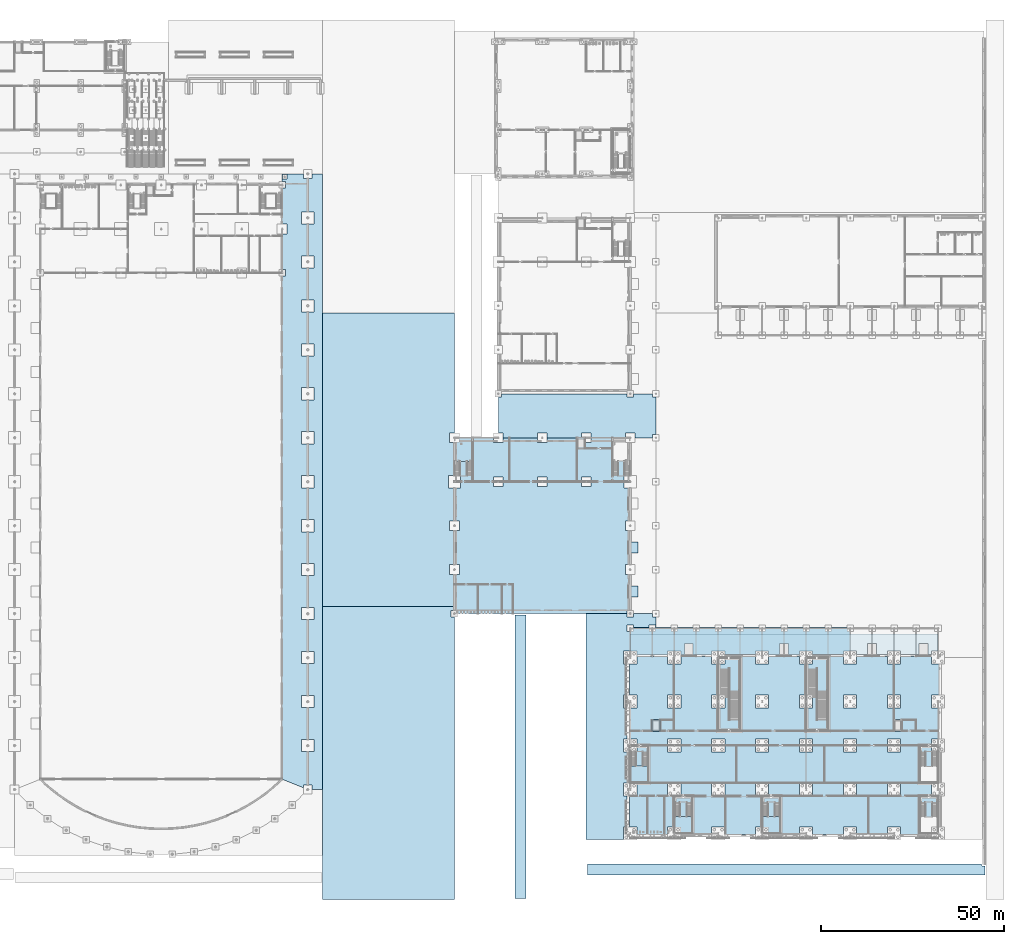
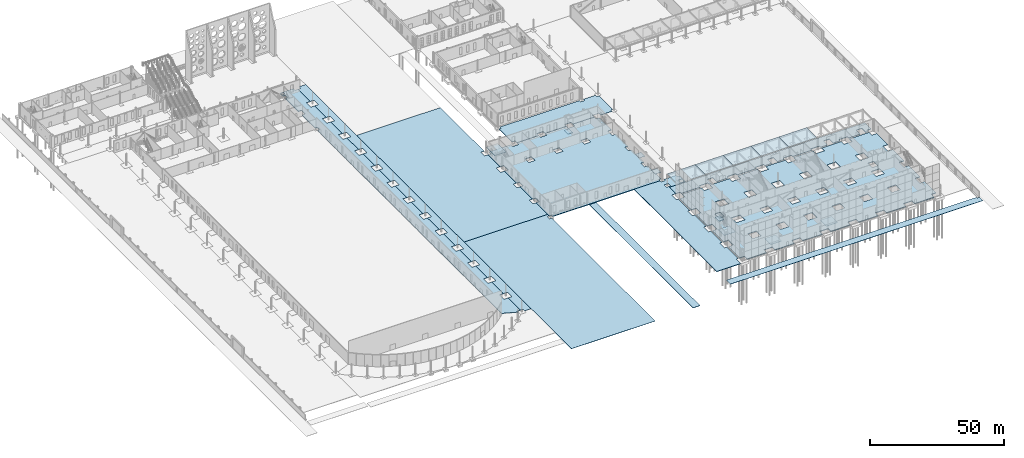
# One storey, part 55 of 132: 23 slabs, 2 plates, 4 elements without a shape of their own.
"""IFC4 building model written with IfcOpenShell, lengths in metres."""

from ifc_helpers import new_model, si_unit, direction, frame, origin, origin_2d, place, context, subcontext, project, spatial, polyline, rectangle, outline, extrude, material, layer, layer_set, type_object, element, aggregate, save


model = new_model("IFC4")

# Units and contexts
model_context = context("Model", 3, precision=1e-05, world=origin(), true_north=direction((0.0, 1.0)))
body_context = subcontext(model_context, "Body", "Model", "MODEL_VIEW")
ifc_project = project(units=[si_unit("LENGTHUNIT", "METRE"), si_unit("AREAUNIT", "SQUARE_METRE"), si_unit("VOLUMEUNIT", "CUBIC_METRE"), si_unit("PLANEANGLEUNIT", "RADIAN"), si_unit("MASSUNIT", "GRAM", prefix="KILO")], contexts=[model_context])

# Site, building, storey
site_placement = place(None, origin())
site = spatial("IfcSite", under=ifc_project, at=site_placement, CompositionType="ELEMENT")
building_placement = place(site_placement, origin())
building = spatial("IfcBuilding", under=site, at=building_placement, Name="Ravi Spectrum Wholesale Market", CompositionType="ELEMENT")
storey_placement = place(building_placement, origin())
storey = spatial("IfcBuildingStorey", under=building, at=storey_placement, Name="L00", CompositionType="ELEMENT", Elevation=0.0)

# Slabs
ifc_material_1 = material(Name="Clay paver")
ifc_layer_1 = layer(ifc_material_1, 0.1201171875)
ifc_layer_set_1 = layer_set([ifc_layer_1], Name="Clay paver")
slab_type_1 = type_object("IfcSlabType", Name="Clay paver on bedding 120", PredefinedType="BASESLAB", material=ifc_layer_set_1)
slab_1_placement = place(storey_placement, frame((0.0, 0.0, -0.1201171875)))
element("IfcSlab", 1, at=slab_1_placement, inside=storey, type_object=slab_type_1, Name="Public Passage Paving South", PredefinedType="BASESLAB", context=body_context, shape_type="SweptSolid", body=[
    extrude(outline(polyline([(114.0, 0.0), (150.0, 0.0), (150.0, 77.10009765625), (149.10009765625, 77.10009765625), (149.10009765625, 78.89990234375), (150.0, 78.89990234375), (150.0, 80.0), (114.0, 80.0), (114.0, 0.0)])), origin(), (0.0, 0.0, 1.0), 0.1201171875),
])
slab_2_placement = place(storey_placement, frame((0.0, 0.0, -0.1201171875)))
element("IfcSlab", 2, at=slab_2_placement, inside=storey, type_object=slab_type_1, Name="Public Passage Paving Central", PredefinedType="BASESLAB", context=body_context, shape_type="SweptSolid", body=[
    extrude(outline(polyline([(114.0, 160.0), (114.0, 80.0), (150.0, 80.0), (150.0, 88.64990234375), (148.64990234375, 88.64990234375), (148.64990234375, 91.35009765625), (150.0, 91.35009765625), (150.0, 100.64990234375), (148.64990234375, 100.64990234375), (148.64990234375, 103.35009765625), (150.0, 103.35009765625), (150.0, 112.35009765625), (148.35009765625, 112.35009765625), (148.35009765625, 115.64990234375), (150.0, 115.64990234375), (150.0, 124.64990234375), (148.64990234375, 124.64990234375), (148.64990234375, 127.35009765625), (150.0, 127.35009765625), (150.0, 160.0), (114.0, 160.0)])), origin(), (0.0, 0.0, 1.0), 0.1201171875),
])
slab_3_placement = place(storey_placement, frame((0.0, 0.0, -0.1201171875)))
element("IfcSlab", 3, at=slab_3_placement, inside=storey, type_object=slab_type_1, Name="Hall East Walk Paving", PredefinedType="BASESLAB", context=body_context, shape_type="SweptSolid", body=[
    extrude(outline(polyline([(110.0, 64.35009765625), (110.0, 55.64990234375), (111.64990234375, 55.64990234375), (111.64990234375, 52.35009765625), (110.0, 52.35009765625), (110.0, 43.64990234375), (111.64990234375, 43.64990234375), (111.64990234375, 40.35009765625), (110.0, 40.35009765625), (110.0, 31.199951171875), (111.199951171875, 31.199951171875), (111.199951171875, 30.0), (114.0, 30.0), (114.0, 198.0), (111.199951171875, 198.0), (111.199951171875, 196.800048828125), (110.0, 196.800048828125), (110.0, 187.64990234375), (111.64990234375, 187.64990234375), (111.64990234375, 184.35009765625), (110.0, 184.35009765625), (110.0, 175.64990234375), (111.64990234375, 175.64990234375), (111.64990234375, 172.35009765625), (110.0, 172.35009765625), (110.0, 163.64990234375), (111.64990234375, 163.64990234375), (111.64990234375, 160.35009765625), (110.0, 160.35009765625), (110.0, 151.64990234375), (111.64990234375, 151.64990234375), (111.64990234375, 148.35009765625), (110.0, 148.35009765625), (110.0, 139.64990234375), (111.64990234375, 139.64990234375), (111.64990234375, 136.35009765625), (110.0, 136.35009765625), (110.0, 127.64990234375), (111.64990234375, 127.64990234375), (111.64990234375, 124.35009765625), (110.0, 124.35009765625), (110.0, 115.64990234375), (111.64990234375, 115.64990234375), (111.64990234375, 112.35009765625), (110.0, 112.35009765625), (110.0, 103.64990234375), (111.64990234375, 103.64990234375), (111.64990234375, 100.35009765625), (110.0, 100.35009765625), (110.0, 91.64990234375), (111.64990234375, 91.64990234375), (111.64990234375, 88.35009765625), (110.0, 88.35009765625), (110.0, 79.64990234375), (111.64990234375, 79.64990234375), (111.64990234375, 76.35009765625), (110.0, 76.35009765625), (110.0, 67.64990234375), (111.64990234375, 67.64990234375), (111.64990234375, 64.35009765625), (110.0, 64.35009765625)])), origin(), (0.0, 0.0, 1.0), 0.1201171875),
])
slab_4_placement = place(storey_placement, frame((0.0, 0.0, -0.1201171875)))
element("IfcSlab", 4, at=slab_4_placement, inside=storey, type_object=slab_type_1, Name="Garden walk paving", PredefinedType="BASESLAB", context=body_context, shape_type="SweptSolid", body=[
    extrude(outline(polyline([(169.5, 77.699951171875), (166.5, 77.699951171875), (166.5, 0.300048828125), (169.5, 0.300048828125), (169.5, 77.699951171875)])), origin(), (0.0, 0.0, 1.0), 0.1201171875),
])
slab_5_placement = place(storey_placement, frame((0.0, 0.0, -0.1201171875)))
element("IfcSlab", 5, at=slab_5_placement, inside=storey, type_object=slab_type_1, Name="Garden walk paving", PredefinedType="BASESLAB", context=body_context, shape_type="SweptSolid", body=[
    extrude(outline(polyline([(186.300048828125, 9.699951171875), (186.300048828125, 6.699951171875), (294.800048828125, 6.699951171875), (294.800048828125, 9.199951171875), (294.10009765625, 9.199951171875), (294.012939453125, 9.212890625), (293.95849609375, 9.2353515625), (293.90966796875, 9.26806640625), (293.8681640625, 9.309814453125), (293.83544921875, 9.358642578125), (293.81298828125, 9.412841796875), (293.800048828125, 9.5), (293.800048828125, 9.699951171875), (186.300048828125, 9.699951171875)])), origin(), (0.0, 0.0, 1.0), 0.1201171875),
])
ifc_material_2 = material(Name="Concrete C30/37", Category="concrete")
ifc_layer_2 = layer(ifc_material_2, 0.25)
ifc_layer_set_2 = layer_set([ifc_layer_2], Name="Concrete C30/37")
slab_type_2 = type_object("IfcSlabType", Name="Concrete paving C30/37 250", PredefinedType="BASESLAB", material=ifc_layer_set_2)
slab_6_placement = place(storey_placement, frame((0.0, 0.0, -0.25)))
element("IfcSlab", 6, at=slab_6_placement, inside=storey, type_object=slab_type_2, Name="Central Court Paving", PredefinedType="BASESLAB", context=body_context, shape_type="SweptSolid", body=[
    extrude(outline(polyline([(196.199951171875, 67.800048828125), (198.0, 67.800048828125), (198.0, 72.5), (205.0, 72.5), (205.0, 77.10009765625), (204.10009765625, 77.10009765625), (204.10009765625, 78.0), (198.89990234375, 78.0), (198.89990234375, 77.10009765625), (197.10009765625, 77.10009765625), (197.10009765625, 78.0), (186.0, 78.0), (186.0, 16.39990234375), (196.199951171875, 16.39990234375), (196.199951171875, 19.800048828125), (197.10009765625, 19.800048828125), (197.10009765625, 28.199951171875), (196.199951171875, 28.199951171875), (196.199951171875, 31.800048828125), (197.10009765625, 31.800048828125), (197.10009765625, 40.199951171875), (196.199951171875, 40.199951171875), (196.199951171875, 43.800048828125), (197.10009765625, 43.800048828125), (197.10009765625, 52.199951171875), (196.199951171875, 52.199951171875), (196.199951171875, 55.800048828125), (197.10009765625, 55.800048828125), (197.10009765625, 64.199951171875), (196.199951171875, 64.199951171875), (196.199951171875, 67.800048828125)]), holes=[polyline([(203.10009765625, 74.89990234375), (204.89990234375, 74.89990234375), (204.89990234375, 73.10009765625), (203.10009765625, 73.10009765625), (203.10009765625, 74.89990234375)]), polyline([(197.10009765625, 73.10009765625), (197.10009765625, 74.89990234375), (198.89990234375, 74.89990234375), (198.89990234375, 73.10009765625), (197.10009765625, 73.10009765625)])]), origin(), (0.0, 0.0, 1.0), 0.25),
])
slab_7_placement = place(storey_placement, frame((0.0, 0.0, -0.25)))
element("IfcSlab", 7, at=slab_7_placement, inside=storey, type_object=slab_type_2, Name="Yard paving", PredefinedType="BASESLAB", context=body_context, shape_type="SweptSolid", body=[
    extrude(outline(polyline([(206.27490234375, 49.074951171875), (203.875, 49.074951171875), (203.875, 45.875), (206.27490234375, 45.875), (206.27490234375, 49.074951171875)])), origin(), (0.0, 0.0, 1.0), 0.25),
])
slab_8_placement = place(storey_placement, frame((0.0, 0.0, -0.25)))
element("IfcSlab", 8, at=slab_8_placement, inside=storey, type_object=slab_type_2, Name="Central Court Paving", PredefinedType="BASESLAB", context=body_context, shape_type="SweptSolid", body=[
    extrude(outline(polyline([(199.35009765625, 126.0), (204.10009765625, 126.0), (204.10009765625, 126.89990234375), (205.0, 126.89990234375), (205.0, 137.10009765625), (204.10009765625, 137.10009765625), (204.10009765625, 138.0), (198.89990234375, 138.0), (198.89990234375, 137.10009765625), (197.10009765625, 137.10009765625), (197.10009765625, 138.0), (162.89990234375, 138.0), (162.89990234375, 137.10009765625), (162.0, 137.10009765625), (162.0, 127.35009765625), (163.35009765625, 127.35009765625), (163.35009765625, 126.0), (172.64990234375, 126.0), (172.64990234375, 127.35009765625), (175.35009765625, 127.35009765625), (175.35009765625, 126.0), (184.64990234375, 126.0), (184.64990234375, 127.35009765625), (187.35009765625, 127.35009765625), (187.35009765625, 126.0), (196.64990234375, 126.0), (196.64990234375, 127.35009765625), (199.35009765625, 127.35009765625), (199.35009765625, 126.0)])), origin(), (0.0, 0.0, 1.0), 0.25),
])
ifc_material_3 = material(Name="Concrete C35/45", Category="concrete")
ifc_layer_3 = layer(ifc_material_3, 0.25)
ifc_layer_set_3 = layer_set([ifc_layer_3], Name="Concrete C35/45")
slab_type_3 = type_object("IfcSlabType", Name="Dock apron slab 250", PredefinedType="BASESLAB", material=ifc_layer_set_3)
slab_9_placement = place(storey_placement, frame((0.0, 0.0, -0.25)))
element("IfcSlab", 9, at=slab_9_placement, inside=storey, type_object=slab_type_3, Name="Loading dock apron", PredefinedType="BASESLAB", context=body_context, shape_type="SweptSolid", body=[
    extrude(outline(polyline([(199.800048828125, 66.89990234375), (199.800048828125, 67.800048828125), (198.0, 67.800048828125), (198.0, 72.5), (282.0, 72.5), (282.0, 67.800048828125), (280.199951171875, 67.800048828125), (280.199951171875, 66.89990234375), (279.199951171875, 66.89990234375), (279.199951171875, 69.89990234375), (276.800048828125, 69.89990234375), (276.800048828125, 66.89990234375), (271.800048828125, 66.89990234375), (271.800048828125, 67.800048828125), (268.199951171875, 67.800048828125), (268.199951171875, 66.89990234375), (265.199951171875, 66.89990234375), (265.199951171875, 69.89990234375), (262.800048828125, 69.89990234375), (262.800048828125, 66.89990234375), (259.800048828125, 66.89990234375), (259.800048828125, 67.800048828125), (256.199951171875, 67.800048828125), (256.199951171875, 66.89990234375), (247.800048828125, 66.89990234375), (247.800048828125, 67.800048828125), (244.199951171875, 67.800048828125), (244.199951171875, 66.89990234375), (241.199951171875, 66.89990234375), (241.199951171875, 69.89990234375), (238.800048828125, 69.89990234375), (238.800048828125, 66.89990234375), (235.800048828125, 66.89990234375), (235.800048828125, 67.800048828125), (232.199951171875, 67.800048828125), (232.199951171875, 66.89990234375), (223.800048828125, 66.89990234375), (223.800048828125, 67.800048828125), (220.199951171875, 67.800048828125), (220.199951171875, 66.89990234375), (215.199951171875, 66.89990234375), (215.199951171875, 69.89990234375), (212.800048828125, 69.89990234375), (212.800048828125, 66.89990234375), (211.800048828125, 66.89990234375), (211.800048828125, 67.800048828125), (208.199951171875, 67.800048828125), (208.199951171875, 66.89990234375), (199.800048828125, 66.89990234375)])), origin(), (0.0, 0.0, 1.0), 0.25),
])

# Plates
ifc_material_4 = material(Name="Steel S355", Category="steel")
ifc_layer_4 = layer(ifc_material_4, 0.030029296875)
ifc_layer_set_4 = layer_set([ifc_layer_4], Name="Steel S355")
plate_type = type_object("IfcPlateType", Name="Dock leveller plate", PredefinedType="SHEET", material=ifc_layer_set_4)
for number, where, z_axis, x_axis, name in (
    (10, (198.976806640625, 84.0, 0.0), (0.0, 0.0, 1.0), (1.0, 0.0, 0.0), "H2-PL-L00-001"),
    (11, (198.976806640625, 96.0, 0.0), (0.0, 0.0, 1.0), (1.0, 0.0, 0.0), "H2-PL-L00-002"),
):
    element("IfcPlate", number, at=place(storey_placement, frame(where, z_axis=z_axis, x_axis=x_axis)), inside=storey, type_object=plate_type, Name=name, PredefinedType="SHEET", context=body_context, shape_type="SweptSolid", body=[
        extrude(rectangle(XDim=2.39990234375, YDim=3.0, at=origin_2d()), origin(), (0.0, 0.0, 1.0), 0.030029296875),
    ])

# Slabs
ifc_material_5 = material(Name="Concrete C35/45", Category="concrete")
ifc_layer_5 = layer(ifc_material_5, 0.300048828125)
ifc_layer_set_5 = layer_set([ifc_layer_5], Name="Concrete C35/45")
slab_type_4 = type_object("IfcSlabType", Name="Ground slab 300", PredefinedType="BASESLAB", material=ifc_layer_set_5)
slab_10_placement = place(storey_placement, frame((0.0, 0.0, -0.300048828125)))
element("IfcSlab", 12, at=slab_10_placement, inside=storey, type_object=slab_type_4, Name="Fish Hall floor", PredefinedType="BASESLAB", context=body_context, shape_type="SweptSolid", body=[
    extrude(outline(polyline([(150.89990234375, 78.0), (150.89990234375, 78.89990234375), (150.0, 78.89990234375), (150.0, 88.64990234375), (151.35009765625, 88.64990234375), (151.35009765625, 91.35009765625), (150.0, 91.35009765625), (150.0, 100.64990234375), (151.35009765625, 100.64990234375), (151.35009765625, 103.35009765625), (150.0, 103.35009765625), (150.0, 112.35009765625), (151.64990234375, 112.35009765625), (151.64990234375, 115.64990234375), (150.0, 115.64990234375), (150.0, 124.64990234375), (151.35009765625, 124.64990234375), (151.35009765625, 126.0), (160.64990234375, 126.0), (160.64990234375, 124.64990234375), (163.35009765625, 124.64990234375), (163.35009765625, 126.0), (172.64990234375, 126.0), (172.64990234375, 124.64990234375), (175.35009765625, 124.64990234375), (175.35009765625, 126.0), (184.64990234375, 126.0), (184.64990234375, 124.64990234375), (187.35009765625, 124.64990234375), (187.35009765625, 126.0), (196.64990234375, 126.0), (196.64990234375, 124.64990234375), (198.0, 124.64990234375), (198.0, 115.64990234375), (196.35009765625, 115.64990234375), (196.35009765625, 112.35009765625), (198.0, 112.35009765625), (198.0, 103.35009765625), (196.64990234375, 103.35009765625), (196.64990234375, 100.64990234375), (198.0, 100.64990234375), (198.0, 91.35009765625), (196.64990234375, 91.35009765625), (196.64990234375, 88.64990234375), (198.0, 88.64990234375), (198.0, 78.89990234375), (197.10009765625, 78.89990234375), (197.10009765625, 78.0), (150.89990234375, 78.0)]), holes=[polyline([(163.35009765625, 112.64990234375), (163.35009765625, 115.35009765625), (160.64990234375, 115.35009765625), (160.64990234375, 112.64990234375), (163.35009765625, 112.64990234375)]), polyline([(175.35009765625, 112.64990234375), (175.35009765625, 115.35009765625), (172.64990234375, 115.35009765625), (172.64990234375, 112.64990234375), (175.35009765625, 112.64990234375)]), polyline([(187.35009765625, 112.64990234375), (187.35009765625, 115.35009765625), (184.64990234375, 115.35009765625), (184.64990234375, 112.64990234375), (187.35009765625, 112.64990234375)])]), origin(), (0.0, 0.0, 1.0), 0.300048828125),
])
slab_11_placement = place(storey_placement, frame((0.0, 0.0, -0.300048828125)))
element("IfcSlab", 13, at=slab_11_placement, inside=storey, type_object=slab_type_4, Name="Cold store floor slab", PredefinedType="BASESLAB", context=body_context, shape_type="SweptSolid", body=[
    extrude(outline(polyline([(282.25, 19.800048828125), (280.199951171875, 19.800048828125), (280.199951171875, 17.75), (271.800048828125, 17.75), (271.800048828125, 19.800048828125), (268.199951171875, 19.800048828125), (268.199951171875, 17.75), (259.800048828125, 17.75), (259.800048828125, 19.800048828125), (256.199951171875, 19.800048828125), (256.199951171875, 17.75), (247.800048828125, 17.75), (247.800048828125, 19.800048828125), (244.199951171875, 19.800048828125), (244.199951171875, 17.75), (235.800048828125, 17.75), (235.800048828125, 19.800048828125), (232.199951171875, 19.800048828125), (232.199951171875, 17.75), (223.800048828125, 17.75), (223.800048828125, 19.800048828125), (220.199951171875, 19.800048828125), (220.199951171875, 17.75), (211.800048828125, 17.75), (211.800048828125, 19.800048828125), (208.199951171875, 19.800048828125), (208.199951171875, 17.75), (199.800048828125, 17.75), (199.800048828125, 19.800048828125), (197.75, 19.800048828125), (197.75, 28.199951171875), (199.800048828125, 28.199951171875), (199.800048828125, 31.800048828125), (197.75, 31.800048828125), (197.75, 40.199951171875), (199.800048828125, 40.199951171875), (199.800048828125, 43.800048828125), (197.75, 43.800048828125), (197.75, 52.199951171875), (199.800048828125, 52.199951171875), (199.800048828125, 55.800048828125), (197.75, 55.800048828125), (197.75, 64.199951171875), (199.800048828125, 64.199951171875), (199.800048828125, 66.25), (208.199951171875, 66.25), (208.199951171875, 64.199951171875), (211.800048828125, 64.199951171875), (211.800048828125, 66.25), (220.199951171875, 66.25), (220.199951171875, 64.199951171875), (223.800048828125, 64.199951171875), (223.800048828125, 66.25), (232.199951171875, 66.25), (232.199951171875, 64.199951171875), (235.800048828125, 64.199951171875), (235.800048828125, 66.25), (244.199951171875, 66.25), (244.199951171875, 64.199951171875), (247.800048828125, 64.199951171875), (247.800048828125, 66.25), (256.199951171875, 66.25), (256.199951171875, 64.199951171875), (259.800048828125, 64.199951171875), (259.800048828125, 66.25), (268.199951171875, 66.25), (268.199951171875, 64.199951171875), (271.800048828125, 64.199951171875), (271.800048828125, 66.25), (280.199951171875, 66.25), (280.199951171875, 64.199951171875), (282.25, 64.199951171875), (282.25, 55.800048828125), (280.199951171875, 55.800048828125), (280.199951171875, 52.199951171875), (282.25, 52.199951171875), (282.25, 43.800048828125), (280.199951171875, 43.800048828125), (280.199951171875, 40.199951171875), (282.25, 40.199951171875), (282.25, 31.800048828125), (280.199951171875, 31.800048828125), (280.199951171875, 28.199951171875), (282.25, 28.199951171875), (282.25, 19.800048828125)]), holes=[polyline([(208.199951171875, 31.800048828125), (208.199951171875, 28.199951171875), (211.800048828125, 28.199951171875), (211.800048828125, 31.800048828125), (208.199951171875, 31.800048828125)]), polyline([(220.199951171875, 31.800048828125), (220.199951171875, 28.199951171875), (223.800048828125, 28.199951171875), (223.800048828125, 31.800048828125), (220.199951171875, 31.800048828125)]), polyline([(208.199951171875, 40.199951171875), (211.800048828125, 40.199951171875), (211.800048828125, 43.800048828125), (208.199951171875, 43.800048828125), (208.199951171875, 40.199951171875)]), polyline([(203.875, 45.875), (206.27490234375, 45.875), (206.27490234375, 49.074951171875), (203.875, 49.074951171875), (203.875, 45.875)]), polyline([(208.199951171875, 55.800048828125), (208.199951171875, 52.199951171875), (211.800048828125, 52.199951171875), (211.800048828125, 55.800048828125), (208.199951171875, 55.800048828125)]), polyline([(220.199951171875, 52.199951171875), (223.800048828125, 52.199951171875), (223.800048828125, 55.800048828125), (220.199951171875, 55.800048828125), (220.199951171875, 52.199951171875)]), polyline([(232.199951171875, 28.199951171875), (235.800048828125, 28.199951171875), (235.800048828125, 31.800048828125), (232.199951171875, 31.800048828125), (232.199951171875, 28.199951171875)]), polyline([(244.199951171875, 31.800048828125), (244.199951171875, 28.199951171875), (247.800048828125, 28.199951171875), (247.800048828125, 31.800048828125), (244.199951171875, 31.800048828125)]), polyline([(256.199951171875, 31.800048828125), (256.199951171875, 28.199951171875), (259.800048828125, 28.199951171875), (259.800048828125, 31.800048828125), (256.199951171875, 31.800048828125)]), polyline([(220.199951171875, 40.199951171875), (223.800048828125, 40.199951171875), (223.800048828125, 43.800048828125), (220.199951171875, 43.800048828125), (220.199951171875, 40.199951171875)]), polyline([(232.199951171875, 40.199951171875), (235.800048828125, 40.199951171875), (235.800048828125, 43.800048828125), (232.199951171875, 43.800048828125), (232.199951171875, 40.199951171875)]), polyline([(244.199951171875, 40.199951171875), (247.800048828125, 40.199951171875), (247.800048828125, 43.800048828125), (244.199951171875, 43.800048828125), (244.199951171875, 40.199951171875)]), polyline([(232.199951171875, 55.800048828125), (232.199951171875, 52.199951171875), (235.800048828125, 52.199951171875), (235.800048828125, 55.800048828125), (232.199951171875, 55.800048828125)]), polyline([(244.199951171875, 55.800048828125), (244.199951171875, 52.199951171875), (247.800048828125, 52.199951171875), (247.800048828125, 55.800048828125), (244.199951171875, 55.800048828125)]), polyline([(268.199951171875, 31.800048828125), (268.199951171875, 28.199951171875), (271.800048828125, 28.199951171875), (271.800048828125, 31.800048828125), (268.199951171875, 31.800048828125)]), polyline([(256.199951171875, 40.199951171875), (259.800048828125, 40.199951171875), (259.800048828125, 43.800048828125), (256.199951171875, 43.800048828125), (256.199951171875, 40.199951171875)]), polyline([(268.199951171875, 40.199951171875), (271.800048828125, 40.199951171875), (271.800048828125, 43.800048828125), (268.199951171875, 43.800048828125), (268.199951171875, 40.199951171875)]), polyline([(269.875, 49.074951171875), (269.875, 45.875), (272.27490234375, 45.875), (272.27490234375, 49.074951171875), (269.875, 49.074951171875)]), polyline([(256.199951171875, 52.199951171875), (259.800048828125, 52.199951171875), (259.800048828125, 55.800048828125), (256.199951171875, 55.800048828125), (256.199951171875, 52.199951171875)]), polyline([(268.199951171875, 55.800048828125), (268.199951171875, 52.199951171875), (271.800048828125, 52.199951171875), (271.800048828125, 55.800048828125), (268.199951171875, 55.800048828125)])]), origin(), (0.0, 0.0, 1.0), 0.300048828125),
])
ifc_material_6 = material(Name="Concrete C35/45", Category="concrete")
ifc_layer_6 = layer(ifc_material_6, 0.300048828125)
ifc_layer_set_6 = layer_set([ifc_layer_6], Name="Concrete C35/45")
slab_type_5 = type_object("IfcSlabType", Name="Paved ground slab 300", PredefinedType="FLOOR", material=ifc_layer_set_6)
slab_12_placement = place(storey_placement, frame((0.0, 0.0, -0.300048828125)))
element("IfcSlab", 14, at=slab_12_placement, inside=storey, type_object=slab_type_5, Name="Shaded Trading Arcade slab", PredefinedType="FLOOR", context=body_context, shape_type="SweptSolid", body=[
    extrude(outline(polyline([(103.0, 32.810302734375), (103.0, 170.10009765625), (103.89990234375, 170.10009765625), (103.89990234375, 171.89990234375), (103.0, 171.89990234375), (103.0, 181.64990234375), (104.35009765625, 181.64990234375), (104.35009765625, 184.35009765625), (103.0, 184.35009765625), (103.0, 194.10009765625), (103.89990234375, 194.10009765625), (103.89990234375, 195.89990234375), (103.0, 195.89990234375), (103.0, 198.0), (108.800048828125, 198.0), (108.800048828125, 196.800048828125), (110.0, 196.800048828125), (110.0, 187.64990234375), (108.35009765625, 187.64990234375), (108.35009765625, 184.35009765625), (110.0, 184.35009765625), (110.0, 175.64990234375), (108.35009765625, 175.64990234375), (108.35009765625, 172.35009765625), (110.0, 172.35009765625), (110.0, 163.64990234375), (108.35009765625, 163.64990234375), (108.35009765625, 160.35009765625), (110.0, 160.35009765625), (110.0, 151.64990234375), (108.35009765625, 151.64990234375), (108.35009765625, 148.35009765625), (110.0, 148.35009765625), (110.0, 139.64990234375), (108.35009765625, 139.64990234375), (108.35009765625, 136.35009765625), (110.0, 136.35009765625), (110.0, 127.64990234375), (108.35009765625, 127.64990234375), (108.35009765625, 124.35009765625), (110.0, 124.35009765625), (110.0, 115.64990234375), (108.35009765625, 115.64990234375), (108.35009765625, 112.35009765625), (110.0, 112.35009765625), (110.0, 103.64990234375), (108.35009765625, 103.64990234375), (108.35009765625, 100.35009765625), (110.0, 100.35009765625), (110.0, 91.64990234375), (108.35009765625, 91.64990234375), (108.35009765625, 88.35009765625), (110.0, 88.35009765625), (110.0, 79.64990234375), (108.35009765625, 79.64990234375), (108.35009765625, 76.35009765625), (110.0, 76.35009765625), (110.0, 67.64990234375), (108.35009765625, 67.64990234375), (108.35009765625, 64.35009765625), (110.0, 64.35009765625), (110.0, 55.64990234375), (108.35009765625, 55.64990234375), (108.35009765625, 52.35009765625), (110.0, 52.35009765625), (110.0, 43.64990234375), (108.35009765625, 43.64990234375), (108.35009765625, 40.35009765625), (110.0, 40.35009765625), (110.0, 31.199951171875), (108.800048828125, 31.199951171875), (108.800048828125, 30.481689453125), (103.0, 32.810302734375)]), holes=[polyline([(103.09716796875, 196.60009765625), (104.297119140625, 196.60009765625), (104.297119140625, 197.800048828125), (103.09716796875, 197.800048828125), (103.09716796875, 196.60009765625)])]), origin(), (0.0, 0.0, 1.0), 0.300048828125),
])
ifc_material_7 = material(Name="Concrete C35/45", Category="concrete")
ifc_layer_7 = layer(ifc_material_7, 0.300048828125)
ifc_layer_set_7 = layer_set([ifc_layer_7], Name="Concrete C35/45")
slab_type_6 = type_object("IfcSlabType", Name="Pit slab 300", PredefinedType="BASESLAB", material=ifc_layer_set_7)
slab_13_placement = place(storey_placement, frame((0.0, 0.0, -1.699951171875)))
element("IfcSlab", 15, at=slab_13_placement, inside=storey, type_object=slab_type_6, Name="H2-SL-L00-LF-H2-1-PIT", PredefinedType="BASESLAB", context=body_context, shape_type="SweptSolid", body=[
    extrude(outline(polyline([(183.5, 123.050048828125), (185.64990234375, 123.050048828125), (185.64990234375, 126.0), (183.5, 126.0), (183.5, 123.050048828125)])), origin(), (0.0, 0.0, 1.0), 0.300048828125),
])
slab_14_placement = place(storey_placement, frame((0.0, 0.0, -1.699951171875)))
element("IfcSlab", 16, at=slab_14_placement, inside=storey, type_object=slab_type_6, Name="CS-SL-L00-LF-CS-1-PIT", PredefinedType="BASESLAB", context=body_context, shape_type="SweptSolid", body=[
    extrude(outline(polyline([(204.0, 46.0), (206.14990234375, 46.0), (206.14990234375, 48.949951171875), (204.0, 48.949951171875), (204.0, 46.0)])), origin(), (0.0, 0.0, 1.0), 0.300048828125),
])
ifc_material_8 = material(Name="Steel S355", Category="steel")
ifc_layer_8 = layer(ifc_material_8, 0.1201171875)
ifc_layer_set_8 = layer_set([ifc_layer_8], Name="Steel S355")
slab_type_7 = type_object("IfcSlabType", Name="Roof deck 120", PredefinedType="ROOF", material=ifc_layer_set_8)
slab_15_placement = place(storey_placement, frame((0.0, 0.0, 4.97998046875)))
element("IfcSlab", 17, at=slab_15_placement, inside=storey, type_object=slab_type_7, Name="Dock canopy deck", PredefinedType="ROOF", context=body_context, shape_type="SweptSolid", body=[
    extrude(outline(polyline([(210.0, 66.550048828125), (210.0, 74.227783203125), (198.0, 74.227783203125), (198.0, 66.550048828125), (210.0, 66.550048828125)])), origin(), (0.0, 0.0, 1.0), 0.1201171875),
])
slab_16_placement = place(storey_placement, frame((0.0, 0.0, 4.97998046875)))
element("IfcSlab", 18, at=slab_16_placement, inside=storey, type_object=slab_type_7, Name="Dock canopy deck", PredefinedType="ROOF", context=body_context, shape_type="SweptSolid", body=[
    extrude(outline(polyline([(222.0, 66.550048828125), (222.0, 74.227783203125), (210.0, 74.227783203125), (210.0, 66.550048828125), (222.0, 66.550048828125)])), origin(), (0.0, 0.0, 1.0), 0.1201171875),
])
slab_17_placement = place(storey_placement, frame((0.0, 0.0, 4.97998046875)))
element("IfcSlab", 19, at=slab_17_placement, inside=storey, type_object=slab_type_7, Name="Dock canopy deck", PredefinedType="ROOF", context=body_context, shape_type="SweptSolid", body=[
    extrude(outline(polyline([(234.0, 66.550048828125), (234.0, 74.227783203125), (222.0, 74.227783203125), (222.0, 66.550048828125), (234.0, 66.550048828125)])), origin(), (0.0, 0.0, 1.0), 0.1201171875),
])
slab_18_placement = place(storey_placement, frame((0.0, 0.0, 4.97998046875)))
element("IfcSlab", 20, at=slab_18_placement, inside=storey, type_object=slab_type_7, Name="Dock canopy deck", PredefinedType="ROOF", context=body_context, shape_type="SweptSolid", body=[
    extrude(outline(polyline([(246.0, 66.550048828125), (246.0, 74.227783203125), (234.0, 74.227783203125), (234.0, 66.550048828125), (246.0, 66.550048828125)])), origin(), (0.0, 0.0, 1.0), 0.1201171875),
])
slab_19_placement = place(storey_placement, frame((0.0, 0.0, 4.97998046875)))
element("IfcSlab", 21, at=slab_19_placement, inside=storey, type_object=slab_type_7, Name="Dock canopy deck", PredefinedType="ROOF", context=body_context, shape_type="SweptSolid", body=[
    extrude(outline(polyline([(258.0, 66.550048828125), (258.0, 74.227783203125), (246.0, 74.227783203125), (246.0, 66.550048828125), (258.0, 66.550048828125)])), origin(), (0.0, 0.0, 1.0), 0.1201171875),
])

# Stair, slab
ifc_material_9 = material(Name="Concrete C35/45", Category="concrete")
stair_type = type_object("IfcStairType", Name="Stair", PredefinedType="NOTDEFINED", material=ifc_material_9)
stair_1_placement = place(storey_placement, origin())
stair_1 = element("IfcStair", 22, at=stair_1_placement, inside=storey, type_object=stair_type, Name="L00 S-H2-2", PredefinedType="HALF_TURN_STAIR")
ifc_material_10 = material(Name="Concrete C35/45", Category="concrete")
ifc_layer_9 = layer(ifc_material_10, 0.199951171875)
ifc_layer_set_9 = layer_set([ifc_layer_9], Name="Concrete C35/45")
slab_type_8 = type_object("IfcSlabType", Name="Stair landing 200", PredefinedType="LANDING", material=ifc_layer_set_9)
slab_20_placement = place(storey_placement, frame((0.0, 0.0, 2.5)))
slab_20 = element("IfcSlab", 23, at=slab_20_placement, type_object=slab_type_8, Name="S-H2-2 landing 1", PredefinedType="LANDING", context=body_context, shape_type="SweptSolid", body=[
    extrude(outline(polyline([(154.89990234375, 119.52001953125), (154.89990234375, 125.89990234375), (150.10009765625, 125.89990234375), (150.10009765625, 119.52001953125), (154.89990234375, 119.52001953125)])), origin(), (0.0, 0.0, 1.0), 0.199951171875),
])
aggregate(stair_1, [slab_20])

stair_2_placement = place(storey_placement, origin())
stair_2 = element("IfcStair", 24, at=stair_2_placement, inside=storey, type_object=stair_type, Name="L00 S-CS-1", PredefinedType="HALF_TURN_STAIR")
slab_21_placement = place(storey_placement, frame((0.0, 0.0, 2.5)))
slab_21 = element("IfcSlab", 25, at=slab_21_placement, type_object=slab_type_8, Name="S-CS-1 landing 1", PredefinedType="LANDING", context=body_context, shape_type="SweptSolid", body=[
    extrude(outline(polyline([(198.125, 36.429931640625), (198.125, 31.925048828125), (202.875, 31.925048828125), (202.875, 36.429931640625), (198.125, 36.429931640625)])), origin(), (0.0, 0.0, 1.0), 0.199951171875),
])
aggregate(stair_2, [slab_21])

stair_3_placement = place(storey_placement, origin())
stair_3 = element("IfcStair", 26, at=stair_3_placement, inside=storey, type_object=stair_type, Name="L00 S-CS-4", PredefinedType="HALF_TURN_STAIR")
slab_22_placement = place(storey_placement, frame((0.0, 0.0, 2.5)))
slab_22 = element("IfcSlab", 27, at=slab_22_placement, type_object=slab_type_8, Name="S-CS-4 landing 1", PredefinedType="LANDING", context=body_context, shape_type="SweptSolid", body=[
    extrude(outline(polyline([(234.125, 22.6298828125), (234.125, 18.125), (238.875, 18.125), (238.875, 22.6298828125), (234.125, 22.6298828125)])), origin(), (0.0, 0.0, 1.0), 0.199951171875),
])
aggregate(stair_3, [slab_22])

stair_4_placement = place(storey_placement, origin())
stair_4 = element("IfcStair", 28, at=stair_4_placement, inside=storey, type_object=stair_type, Name="L00 S-CS-6", PredefinedType="HALF_TURN_STAIR")
slab_23_placement = place(storey_placement, frame((0.0, 0.0, 2.5)))
slab_23 = element("IfcSlab", 29, at=slab_23_placement, type_object=slab_type_8, Name="S-CS-6 landing 1", PredefinedType="LANDING", context=body_context, shape_type="SweptSolid", body=[
    extrude(outline(polyline([(210.125, 22.6298828125), (210.125, 18.125), (214.875, 18.125), (214.875, 22.6298828125), (210.125, 22.6298828125)])), origin(), (0.0, 0.0, 1.0), 0.199951171875),
])
aggregate(stair_4, [slab_23])

save(model, "model.ifc")
